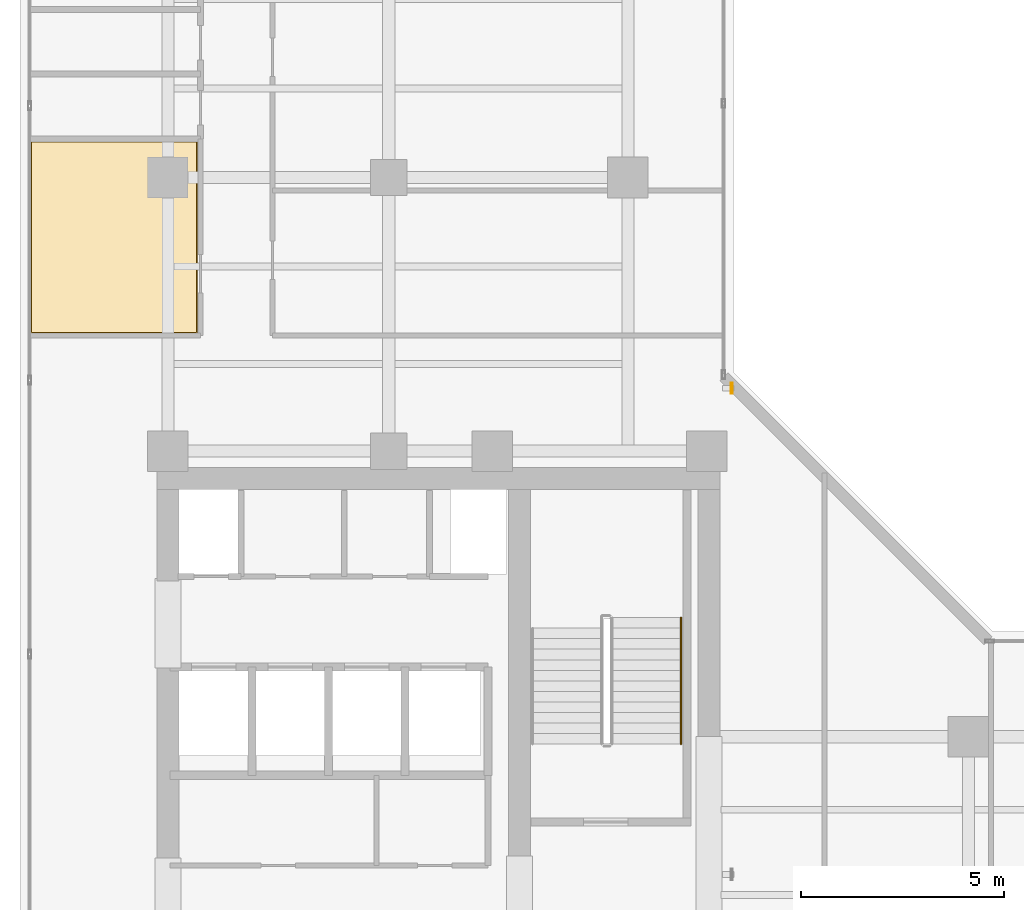
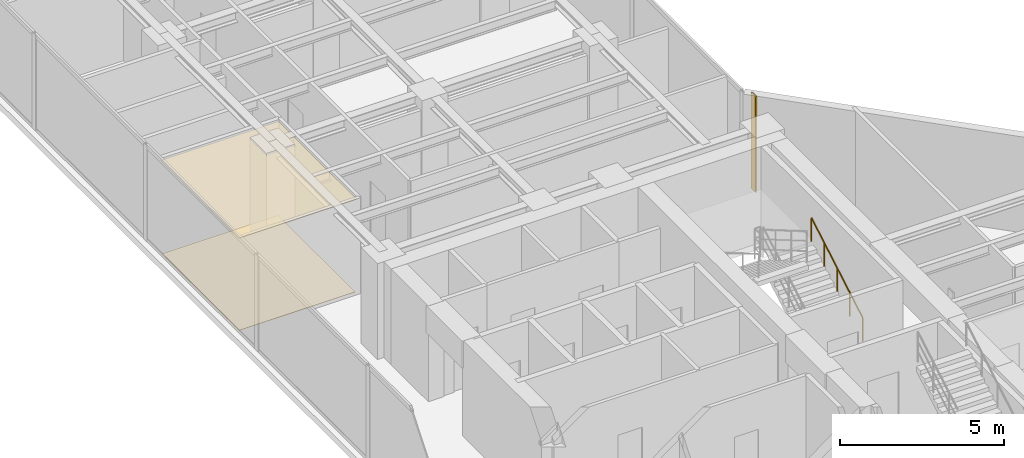
# One storey, part 22 of 24: 2 coverings, 1 railing, 1 shading device.
"""IFC4 building model written with IfcOpenShell, lengths in metres."""

from ifc_helpers import new_model, si_unit, direction, frame, origin, origin_2d, place, context, subcontext, project, spatial, polyline, hollow_rectangle, circle, outline, extrude, material, layer, layer_set, material_profile, profile_set, type_object, element, save


model = new_model("IFC4")

# Units and contexts
model_context = context("Model", 3, precision=1e-05, world=origin(), true_north=direction((0.0, 1.0)))
body_context = subcontext(model_context, "Body", "Model", "MODEL_VIEW")
ifc_project = project(units=[si_unit("LENGTHUNIT", "METRE"), si_unit("AREAUNIT", "SQUARE_METRE"), si_unit("VOLUMEUNIT", "CUBIC_METRE"), si_unit("PLANEANGLEUNIT", "RADIAN"), si_unit("MASSUNIT", "GRAM", prefix="KILO")], contexts=[model_context])

# Site, building, storey
site_placement = place(None, origin())
site = spatial("IfcSite", under=ifc_project, at=site_placement, CompositionType="ELEMENT")
building_placement = place(site_placement, origin())
building = spatial("IfcBuilding", under=site, at=building_placement, Name="Kolvaren Waterfront Exchange", CompositionType="ELEMENT")
storey_placement = place(building_placement, frame((0.0, 0.0, 238.699951171875)))
storey = spatial("IfcBuildingStorey", under=building, at=storey_placement, Name="L61", CompositionType="ELEMENT", Elevation=238.699951171875)

# Covering
ifc_material_1 = material(Name="Mineral fibre acoustic ceiling tile")
ifc_layer_1 = layer(ifc_material_1, 0.02490234375, Name="Mineral fibre acoustic ceiling tile")
ifc_layer_set_1 = layer_set([ifc_layer_1], Name="Mineral fibre acoustic ceiling tile")
covering_type_1 = type_object("IfcCoveringType", Name="ARC-CEIL-ACOUSTIC-25", PredefinedType="CEILING", material=ifc_layer_set_1)
covering_1_placement = place(storey_placement, frame((0.0, 0.0, 3.445068359375)))
element("IfcCovering", 1, at=covering_1_placement, inside=storey, type_object=covering_type_1, Name="L61 acoustic suspended ceiling 1", PredefinedType="CEILING", context=body_context, shape_type="SweptSolid", body=[
    extrude(outline(polyline([(8.18505859375, 27.344970703125), (8.18505859375, 32.10498046875), (4.044921875, 32.10498046875), (4.044921875, 27.344970703125), (8.18505859375, 27.344970703125)])), origin(), (0.0, 0.0, 1.0), 0.02490234375),
])

# Shading device
ifc_material_2 = material(Name="Anodised bronze aluminium 6063-T6", Category="aluminium")
ifc_material_profile = material_profile(ifc_material_2, hollow_rectangle(XDim=0.054931640625, YDim=0.280029296875, WallThickness=0.00439453125, at=origin_2d()), Name="BRZ-FIN-280x55x4.5")
ifc_profile_set = profile_set([ifc_material_profile], Name="Anodised bronze aluminium 6063-T6")
shading_device_type = type_object("IfcShadingDeviceType", Name="ARC-FIN-280", PredefinedType="USERDEFINED", material=ifc_profile_set)
shading_device_placement = place(storey_placement, frame((21.360107421875, 26.0, 0.0), z_axis=(0.0, 0.0, 1.0), x_axis=(1.0, 0.0, 0.0)))
element("IfcShadingDevice", 2, at=shading_device_placement, inside=storey, type_object=shading_device_type, Name="L61 anodised bronze solar shading fin FIN-L61-E2", ObjectType="SOLAR FIN", PredefinedType="USERDEFINED", context=body_context, shape_type="SweptSolid", body=[
    extrude(hollow_rectangle(XDim=0.054931640625, YDim=0.280029296875, WallThickness=0.00439453125, at=origin_2d()), origin(), (0.0, 0.0, 1.0), 3.56005859375),
])

# Covering
ifc_material_3 = material(Name="Slip-resistant porcelain tile")
ifc_layer_2 = layer(ifc_material_3, 0.014892578125, Name="Slip-resistant porcelain tile")
ifc_layer_set_2 = layer_set([ifc_layer_2], Name="Slip-resistant porcelain tile")
covering_type_2 = type_object("IfcCoveringType", Name="ARC-FLR-PORC-15", PredefinedType="FLOORING", material=ifc_layer_set_2)
covering_2_placement = place(storey_placement, origin())
element("IfcCovering", 3, at=covering_2_placement, inside=storey, type_object=covering_type_2, Name="L61 floor finish 1", PredefinedType="FLOORING", context=body_context, shape_type="SweptSolid", body=[
    extrude(outline(polyline([(4.080078125, 32.070068359375), (4.080078125, 27.3798828125), (8.14990234375, 27.3798828125), (8.14990234375, 32.070068359375), (4.080078125, 32.070068359375)])), origin(), (0.0, 0.0, 1.0), 0.01513671875),
])

# Railing
ifc_material_4 = material(Name="Stainless steel 316", Category="steel")
railing_type = type_object("IfcRailingType", Name="ARC-HANDRAIL-900", PredefinedType="HANDRAIL", material=ifc_material_4)
railing_placement = place(storey_placement, frame((20.110107421875, 17.219970703125, 0.152099609375)))
element("IfcRailing", 4, at=railing_placement, inside=storey, type_object=railing_type, Name="L61 ST2 stair handrail 1", PredefinedType="HANDRAIL", context=body_context, shape_type="SweptSolid", body=[
    extrude(circle(Radius=0.02392578125, at=origin_2d()), frame((0.0, 0.0, 0.8759765625), z_axis=(0.0, 0.86330811405, 0.504677223793), x_axis=(-1.0, 0.0, 0.0)), (0.0, 0.0, 1.0), 3.6142578125),
    extrude(circle(Radius=0.02099609375, at=origin_2d()), origin(), (0.0, 0.0, 1.0), 0.851806640625),
    extrude(circle(Radius=0.02099609375, at=origin_2d()), frame((0.0, 0.780029296875, 0.4560546875)), (0.0, 0.0, 1.0), 0.851806640625),
    extrude(circle(Radius=0.02099609375, at=origin_2d()), frame((0.0, 1.56005859375, 0.912109375)), (0.0, 0.0, 1.0), 0.851806640625),
    extrude(circle(Radius=0.02099609375, at=origin_2d()), frame((0.0, 2.340087890625, 1.367919921875)), (0.0, 0.0, 1.0), 0.851806640625),
    extrude(circle(Radius=0.02099609375, at=origin_2d()), frame((0.0, 3.1201171875, 1.823974609375)), (0.0, 0.0, 1.0), 0.851806640625),
])

save(model, "model.ifc")
